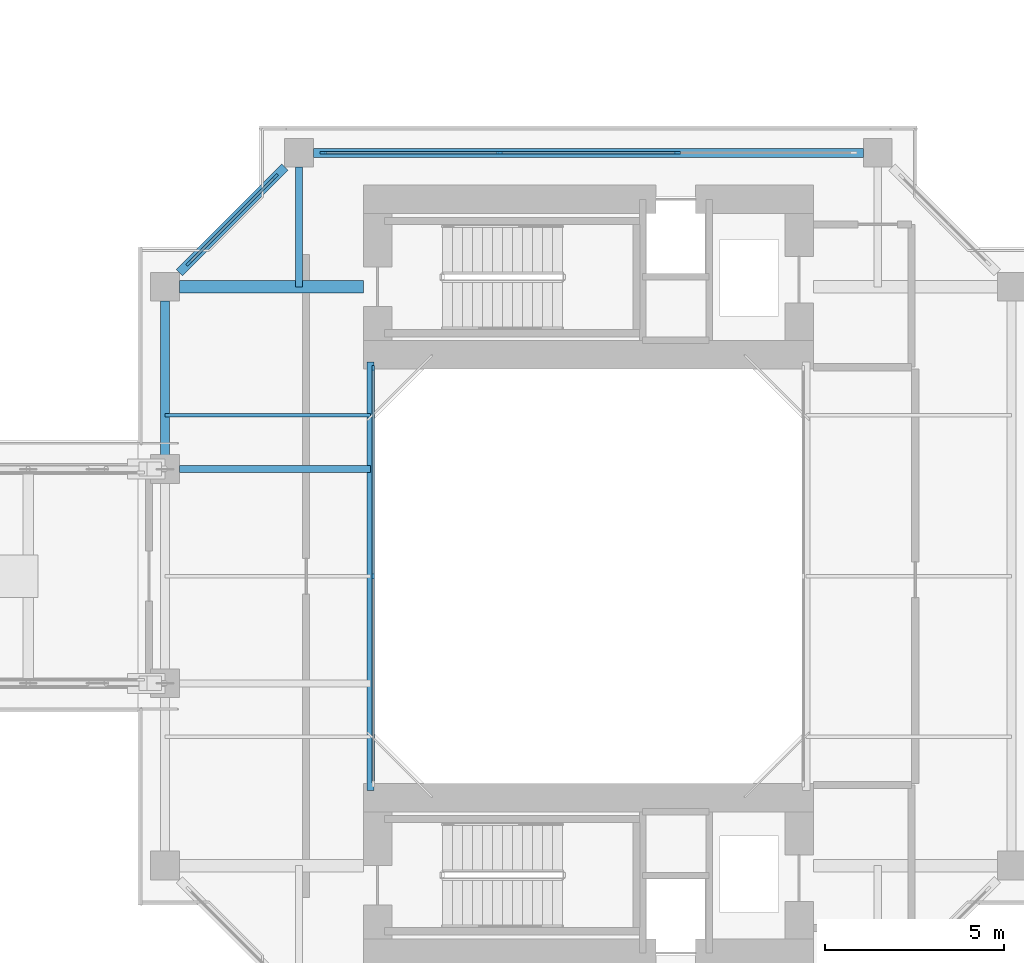
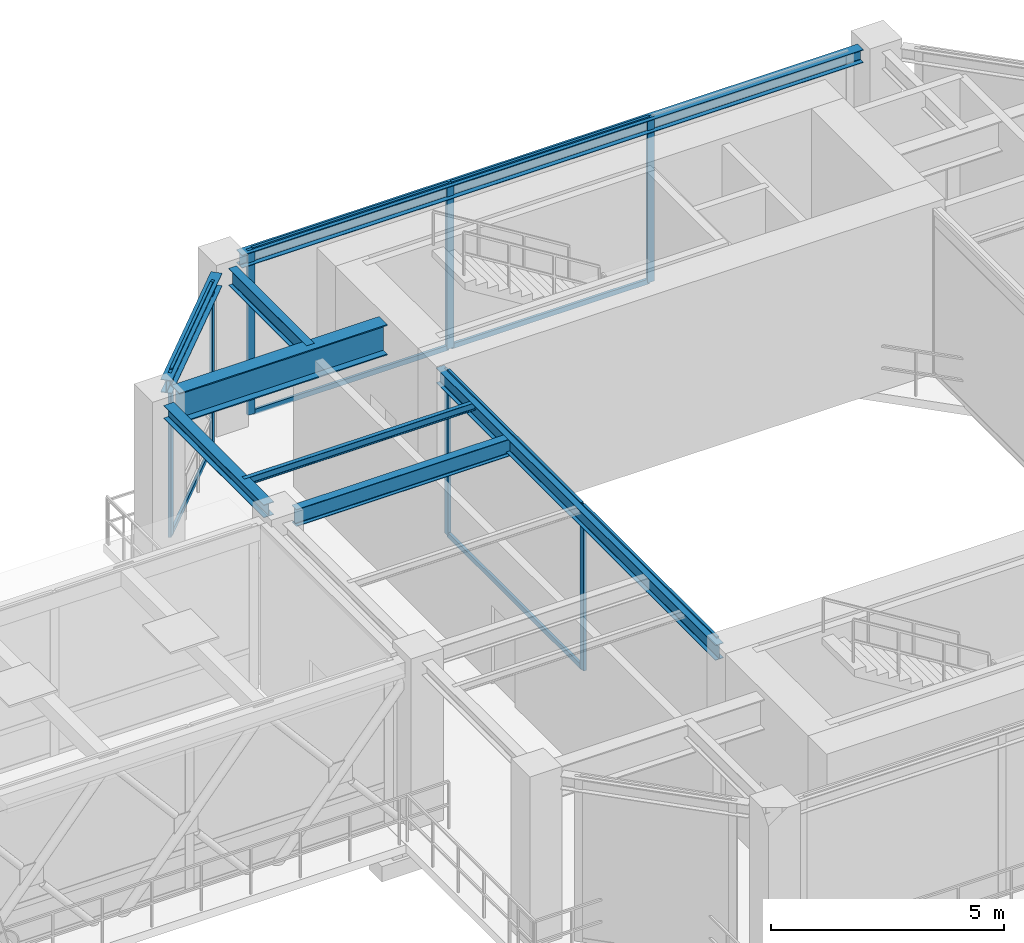
# One storey, part 8 of 25: 16 members, 8 beams, 3 elements without a shape of their own.
"""IFC4 building model written with IfcOpenShell, lengths in metres."""

from ifc_helpers import new_model, si_unit, direction, frame, origin, origin_2d, place, context, subcontext, project, spatial, rectangle, i_section, extrude, source, transform, mapped, material, layer, layer_set, material_profile, profile_set, type_object, element, aggregate, save


model = new_model("IFC4")

# Units and contexts
model_context = context("Model", 3, precision=1e-05, world=origin(), true_north=direction((0.0, 1.0)))
body_context = subcontext(model_context, "Body", "Model", "MODEL_VIEW")
ifc_project = project(units=[si_unit("LENGTHUNIT", "METRE"), si_unit("AREAUNIT", "SQUARE_METRE"), si_unit("VOLUMEUNIT", "CUBIC_METRE"), si_unit("PLANEANGLEUNIT", "RADIAN"), si_unit("MASSUNIT", "GRAM", prefix="KILO"), si_unit("THERMODYNAMICTEMPERATUREUNIT", "KELVIN"), si_unit("POWERUNIT", "WATT")], contexts=[model_context])

# Site, building, storey
site_placement = place(None, origin())
site = spatial("IfcSite", under=ifc_project, at=site_placement, CompositionType="ELEMENT")
building_placement = place(site_placement, origin())
building = spatial("IfcBuilding", under=site, at=building_placement, Name="Qiaomeng Ring Towers", CompositionType="ELEMENT")
storey_placement = place(building_placement, frame((0.0, 0.0, 92.5)))
storey = spatial("IfcBuildingStorey", under=building, at=storey_placement, Name="L26", CompositionType="ELEMENT", Elevation=92.5)

# Beams
ifc_material_1 = material(Name="Steel Q355B", Category="steel")
ifc_material_profile_1 = material_profile(ifc_material_1, i_section(OverallWidth=0.199951171875, OverallDepth=0.39990234375, WebThickness=0.008056640625, FlangeThickness=0.012939453125, FilletRadius=0.01611328125, at=origin_2d()), Name="HN 400x200x8x13")
ifc_profile_set_1 = profile_set([ifc_material_profile_1], Name="Steel Q355B")
beam_type_1 = type_object("IfcBeamType", Name="STR-BM-HN400", PredefinedType="SPANDREL", material=ifc_profile_set_1)
shared_shape_1 = source(origin(), body_context, "Body", "SweptSolid", [
    extrude(i_section(OverallWidth=0.199951171875, OverallDepth=0.39990234375, WebThickness=0.008056640625, FlangeThickness=0.012939453125, FilletRadius=0.01611328125, at=origin_2d()), origin(), (0.0, 0.0, 1.0), 12.0),
])
beam_1_placement = place(storey_placement, frame((54.39990234375, 17.0, 4.1201171875), z_axis=(0.0, 1.0, 0.0), x_axis=(-1.0, 0.0, 0.0)))
element("IfcBeam", 1, at=beam_1_placement, inside=storey, type_object=beam_type_1, Name="L26 beam STR-BM-L26-T2-WELL-W", PredefinedType="SPANDREL", context=body_context, shape_type="MappedRepresentation", body=[
    mapped(shared_shape_1, transform((0.0, 0.0, 0.0), x_axis=(1.0, 0.0, 0.0), y_axis=(0.0, 1.0, 0.0), z_axis=(0.0, 0.0, 1.0), scale=1.0)),
])
ifc_material_profile_2 = material_profile(ifc_material_1, i_section(OverallWidth=0.25, OverallDepth=0.340087890625, WebThickness=0.009033203125, FlangeThickness=0.013916015625, FilletRadius=0.02001953125, at=origin_2d()), Name="HM 340x250x9x14")
ifc_profile_set_2 = profile_set([ifc_material_profile_2], Name="Steel Q355B")
beam_type_2 = type_object("IfcBeamType", Name="STR-BM-HM340", PredefinedType="SPANDREL", material=ifc_profile_set_2)
shared_shape_2 = source(origin(), body_context, "Body", "SweptSolid", [
    extrude(i_section(OverallWidth=0.25, OverallDepth=0.340087890625, WebThickness=0.009033203125, FlangeThickness=0.013916015625, FilletRadius=0.02001953125, at=origin_2d()), origin(), (0.0, 0.0, 1.0), 15.40185546875),
])
beam_2_placement = place(storey_placement, frame((68.200927734375, 34.85009765625, 4.14990234375), z_axis=(-1.0, 0.0, 0.0), x_axis=(0.0, -1.0, 0.0)))
element("IfcBeam", 2, at=beam_2_placement, inside=storey, type_object=beam_type_2, Name="L26 beam STR-SP-L26-T2-N2-N1", PredefinedType="SPANDREL", context=body_context, shape_type="MappedRepresentation", body=[
    mapped(shared_shape_2, transform((0.0, 0.0, 0.0), x_axis=(1.0, 0.0, 0.0), y_axis=(0.0, 1.0, 0.0), z_axis=(0.0, 0.0, 1.0), scale=1.0)),
])
shared_shape_3 = source(origin(), body_context, "Body", "SweptSolid", [
    extrude(i_section(OverallWidth=0.25, OverallDepth=0.340087890625, WebThickness=0.009033203125, FlangeThickness=0.013916015625, FilletRadius=0.02001953125, at=origin_2d()), origin(), (0.0, 0.0, 1.0), 4.173828125),
])
beam_3_placement = place(storey_placement, frame((52.000732421875, 34.45068359375, 4.14990234375), z_axis=(-0.707106781187, -0.707106781187, 0.0), x_axis=(0.707106781187, -0.707106781187, 0.0)))
element("IfcBeam", 3, at=beam_3_placement, inside=storey, type_object=beam_type_2, Name="L26 beam STR-SP-L26-T2-N1-W4", PredefinedType="SPANDREL", context=body_context, shape_type="MappedRepresentation", body=[
    mapped(shared_shape_3, transform((0.0, 0.0, 0.0), x_axis=(1.0, 0.0, 0.0), y_axis=(0.0, 1.0, 0.0), z_axis=(0.0, 0.0, 1.0), scale=1.0)),
])
shared_shape_4 = source(origin(), body_context, "Body", "SweptSolid", [
    extrude(i_section(OverallWidth=0.25, OverallDepth=0.340087890625, WebThickness=0.009033203125, FlangeThickness=0.013916015625, FilletRadius=0.02001953125, at=origin_2d()), origin(), (0.0, 0.0, 1.0), 4.302001953125),
])
beam_4_placement = place(storey_placement, frame((48.64990234375, 30.700927734375, 4.14990234375), z_axis=(0.0, -1.0, 0.0), x_axis=(1.0, 0.0, 0.0)))
element("IfcBeam", 4, at=beam_4_placement, inside=storey, type_object=beam_type_2, Name="L26 beam STR-SP-L26-T2-W4-W3", PredefinedType="SPANDREL", context=body_context, shape_type="MappedRepresentation", body=[
    mapped(shared_shape_4, transform((0.0, 0.0, 0.0), x_axis=(1.0, 0.0, 0.0), y_axis=(0.0, 1.0, 0.0), z_axis=(0.0, 0.0, 1.0), scale=1.0)),
])
ifc_material_2 = material(Name="Steel Q390GJC", Category="steel")
ifc_material_profile_3 = material_profile(ifc_material_2, i_section(OverallWidth=0.35009765625, OverallDepth=0.800048828125, WebThickness=0.01611328125, FlangeThickness=0.028076171875, at=origin_2d()), Name="WH 800x350x16x28")
ifc_profile_set_3 = profile_set([ifc_material_profile_3], Name="Steel Q390GJC")
beam_type_3 = type_object("IfcBeamType", Name="STR-BM-WH800", PredefinedType="BEAM", material=ifc_profile_set_3)
shared_shape_5 = source(origin(), body_context, "Body", "SweptSolid", [
    extrude(i_section(OverallWidth=0.35009765625, OverallDepth=0.800048828125, WebThickness=0.01611328125, FlangeThickness=0.028076171875, at=origin_2d()), origin(), (0.0, 0.0, 1.0), 5.15087890625),
])
beam_5_placement = place(storey_placement, frame((49.049072265625, 31.10009765625, 3.919921875), z_axis=(1.0, 0.0, 0.0), x_axis=(0.0, 1.0, 0.0)))
element("IfcBeam", 5, at=beam_5_placement, inside=storey, type_object=beam_type_3, Name="L26 beam STR-BM-L26-T2-RAD-W4", PredefinedType="BEAM", context=body_context, shape_type="MappedRepresentation", body=[
    mapped(shared_shape_5, transform((0.0, 0.0, 0.0), x_axis=(1.0, 0.0, 0.0), y_axis=(0.0, 1.0, 0.0), z_axis=(0.0, 0.0, 1.0), scale=1.0)),
])
ifc_material_profile_4 = material_profile(ifc_material_1, i_section(OverallWidth=0.199951171875, OverallDepth=0.449951171875, WebThickness=0.009033203125, FlangeThickness=0.013916015625, FilletRadius=0.01806640625, at=origin_2d()), Name="HN 450x200x9x14")
ifc_profile_set_4 = profile_set([ifc_material_profile_4], Name="Steel Q355B")
beam_type_4 = type_object("IfcBeamType", Name="STR-BM-HN450", PredefinedType="SPANDREL", material=ifc_profile_set_4)
shared_shape_6 = source(origin(), body_context, "Body", "SweptSolid", [
    extrude(i_section(OverallWidth=0.199951171875, OverallDepth=0.449951171875, WebThickness=0.009033203125, FlangeThickness=0.013916015625, FilletRadius=0.01806640625, at=origin_2d()), origin(), (0.0, 0.0, 1.0), 5.350830078125),
])
beam_6_placement = place(storey_placement, frame((49.049072265625, 26.0, 4.094970703125), z_axis=(1.0, 0.0, 0.0), x_axis=(0.0, 1.0, 0.0)))
element("IfcBeam", 6, at=beam_6_placement, inside=storey, type_object=beam_type_4, Name="L26 beam STR-BM-L26-T2-RAD-W3", PredefinedType="SPANDREL", context=body_context, shape_type="MappedRepresentation", body=[
    mapped(shared_shape_6, transform((0.0, 0.0, 0.0), x_axis=(1.0, 0.0, 0.0), y_axis=(0.0, 1.0, 0.0), z_axis=(0.0, 0.0, 1.0), scale=1.0)),
])
shared_shape_7 = source(origin(), body_context, "Body", "SweptSolid", [
    extrude(i_section(OverallWidth=0.199951171875, OverallDepth=0.449951171875, WebThickness=0.009033203125, FlangeThickness=0.013916015625, FilletRadius=0.01806640625, at=origin_2d()), origin(), (0.0, 0.0, 1.0), 3.350830078125),
])
beam_7_placement = place(storey_placement, frame((52.39990234375, 34.450927734375, 4.094970703125), z_axis=(0.0, -1.0, 0.0), x_axis=(1.0, 0.0, 0.0)))
element("IfcBeam", 7, at=beam_7_placement, inside=storey, type_object=beam_type_4, Name="L26 beam STR-BM-L26-T2-RAD-N1", PredefinedType="SPANDREL", context=body_context, shape_type="MappedRepresentation", body=[
    mapped(shared_shape_7, transform((0.0, 0.0, 0.0), x_axis=(1.0, 0.0, 0.0), y_axis=(0.0, 1.0, 0.0), z_axis=(0.0, 0.0, 1.0), scale=1.0)),
])
ifc_material_profile_5 = material_profile(ifc_material_1, i_section(OverallWidth=0.10009765625, OverallDepth=0.199951171875, WebThickness=0.005615234375, FlangeThickness=0.008056640625, FilletRadius=0.010986328125, at=origin_2d()), Name="HN 200x100x5.5x8")
ifc_profile_set_5 = profile_set([ifc_material_profile_5], Name="Steel Q355B")
beam_type_5 = type_object("IfcBeamType", Name="STR-BM-HN200", PredefinedType="JOIST", material=ifc_profile_set_5)
shared_shape_8 = source(origin(), body_context, "Body", "SweptSolid", [
    extrude(i_section(OverallWidth=0.10009765625, OverallDepth=0.199951171875, WebThickness=0.005615234375, FlangeThickness=0.008056640625, FilletRadius=0.010986328125, at=origin_2d()), origin(), (0.0, 0.0, 1.0), 5.75),
])
beam_8_placement = place(storey_placement, frame((48.64990234375, 27.5, 4.219970703125), z_axis=(1.0, 0.0, 0.0), x_axis=(0.0, 1.0, 0.0)))
element("IfcBeam", 8, at=beam_8_placement, inside=storey, type_object=beam_type_5, Name="L26 beam STR-JST-L26-T2W-3", PredefinedType="JOIST", context=body_context, shape_type="MappedRepresentation", body=[
    mapped(shared_shape_8, transform((0.0, 0.0, 0.0), x_axis=(1.0, 0.0, 0.0), y_axis=(0.0, 1.0, 0.0), z_axis=(0.0, 0.0, 1.0), scale=1.0)),
])

# Curtain wall, members
ifc_material_3 = material(Name="Fluorocarbon dark-grey aluminium", Category="aluminium")
ifc_layer_1 = layer(ifc_material_3, 0.139892578125, Name="Fluorocarbon dark-grey aluminium")
ifc_layer_set_1 = layer_set([ifc_layer_1], Name="Fluorocarbon dark-grey aluminium")
curtain_wall_type_1 = type_object("IfcCurtainWallType", Name="ARC-CW-4", PredefinedType="NOTDEFINED", material=ifc_layer_set_1)
curtain_wall_1_placement = place(storey_placement, origin())
curtain_wall_1 = element("IfcCurtainWall", 9, at=curtain_wall_1_placement, inside=storey, type_object=curtain_wall_type_1, Name="L26 Curtain Wall CW4", PredefinedType="NOTDEFINED")
ifc_material_profile_6 = material_profile(ifc_material_3, rectangle(XDim=0.06494140625, YDim=0.1298828125, at=origin_2d()), Name="ALU TRAN 65x130")
ifc_profile_set_6 = profile_set([ifc_material_profile_6], Name="Fluorocarbon dark-grey aluminium")
member_type_1 = type_object("IfcMemberType", Name="ARC-CWT-120", PredefinedType="USERDEFINED", material=ifc_profile_set_6)
shared_shape_9 = source(origin(), body_context, "Body", "SweptSolid", [
    extrude(rectangle(XDim=0.06494140625, YDim=0.1298828125, at=origin_2d()), origin(), (0.0, 0.0, 1.0), 5.75244140625),
])
member_1_placement = place(storey_placement, frame((54.47998046875, 17.215087890625, 4.28759765625), z_axis=(0.0, 1.0, 0.0), x_axis=(-1.0, 0.0, 0.0)))
member_1 = element("IfcMember", 10, at=member_1_placement, type_object=member_type_1, Name="CW4 transom 1.2", ObjectType="TRANSOM", PredefinedType="USERDEFINED", context=body_context, shape_type="MappedRepresentation", body=[
    mapped(shared_shape_9, transform((0.0, 0.0, 0.0), x_axis=(1.0, 0.0, 0.0), y_axis=(0.0, 1.0, 0.0), z_axis=(0.0, 0.0, 1.0), scale=1.0)),
])
member_2_placement = place(storey_placement, frame((54.47998046875, 23.032470703125, 0.032470703125), z_axis=(0.0, 1.0, 0.0), x_axis=(-1.0, 0.0, 0.0)))
member_2 = element("IfcMember", 11, at=member_2_placement, type_object=member_type_1, Name="CW4 transom 2.1", ObjectType="TRANSOM", PredefinedType="USERDEFINED", context=body_context, shape_type="MappedRepresentation", body=[
    mapped(shared_shape_9, transform((0.0, 0.0, 0.0), x_axis=(1.0, 0.0, 0.0), y_axis=(0.0, 1.0, 0.0), z_axis=(0.0, 0.0, 1.0), scale=1.0)),
])
member_3_placement = place(storey_placement, frame((54.47998046875, 23.032470703125, 4.28759765625), z_axis=(0.0, 1.0, 0.0), x_axis=(-1.0, 0.0, 0.0)))
member_3 = element("IfcMember", 12, at=member_3_placement, type_object=member_type_1, Name="CW4 transom 2.2", ObjectType="TRANSOM", PredefinedType="USERDEFINED", context=body_context, shape_type="MappedRepresentation", body=[
    mapped(shared_shape_9, transform((0.0, 0.0, 0.0), x_axis=(1.0, 0.0, 0.0), y_axis=(0.0, 1.0, 0.0), z_axis=(0.0, 0.0, 1.0), scale=1.0)),
])
ifc_material_profile_7 = material_profile(ifc_material_3, rectangle(XDim=0.06494140625, YDim=0.159912109375, at=origin_2d()), Name="ALU MULL 65x160")
ifc_profile_set_7 = profile_set([ifc_material_profile_7], Name="Fluorocarbon dark-grey aluminium")
member_type_2 = type_object("IfcMemberType", Name="ARC-CWM-140", PredefinedType="MULLION", material=ifc_profile_set_7)
shared_shape_10 = source(origin(), body_context, "Body", "SweptSolid", [
    extrude(rectangle(XDim=0.06494140625, YDim=0.159912109375, at=origin_2d()), origin(), (0.0, 0.0, 1.0), 4.320068359375),
])
member_4_placement = place(storey_placement, frame((54.47998046875, 23.0, 0.0), z_axis=(0.0, 0.0, 1.0), x_axis=(-1.0, 0.0, 0.0)))
member_4 = element("IfcMember", 13, at=member_4_placement, type_object=member_type_2, Name="CW4 mullion 2", PredefinedType="MULLION", context=body_context, shape_type="MappedRepresentation", body=[
    mapped(shared_shape_10, transform((0.0, 0.0, 0.0), x_axis=(1.0, 0.0, 0.0), y_axis=(0.0, 1.0, 0.0), z_axis=(0.0, 0.0, 1.0), scale=1.0)),
])
member_5_placement = place(storey_placement, frame((54.47998046875, 28.8173828125, 0.0), z_axis=(0.0, 0.0, 1.0), x_axis=(-1.0, 0.0, 0.0)))
member_5 = element("IfcMember", 14, at=member_5_placement, type_object=member_type_2, Name="CW4 mullion 3", PredefinedType="MULLION", context=body_context, shape_type="MappedRepresentation", body=[
    mapped(shared_shape_10, transform((0.0, 0.0, 0.0), x_axis=(1.0, 0.0, 0.0), y_axis=(0.0, 1.0, 0.0), z_axis=(0.0, 0.0, 1.0), scale=1.0)),
])
aggregate(curtain_wall_1, [member_4, member_5, member_1, member_2, member_3])

ifc_layer_2 = layer(ifc_material_3, 0.14990234375, Name="Fluorocarbon dark-grey aluminium")
ifc_layer_set_2 = layer_set([ifc_layer_2], Name="Fluorocarbon dark-grey aluminium")
curtain_wall_type_2 = type_object("IfcCurtainWallType", Name="ARC-CW-5", PredefinedType="NOTDEFINED", material=ifc_layer_set_2)
curtain_wall_2_placement = place(storey_placement, origin())
curtain_wall_2 = element("IfcCurtainWall", 15, at=curtain_wall_2_placement, inside=storey, type_object=curtain_wall_type_2, Name="L26 Curtain Wall CW5", PredefinedType="NOTDEFINED")
ifc_material_profile_8 = material_profile(ifc_material_3, rectangle(XDim=0.070068359375, YDim=0.179931640625, at=origin_2d()), Name="ALU MULL 70x180")
ifc_profile_set_8 = profile_set([ifc_material_profile_8], Name="Fluorocarbon dark-grey aluminium")
member_type_3 = type_object("IfcMemberType", Name="ARC-CWM-160", PredefinedType="MULLION", material=ifc_profile_set_8)
shared_shape_11 = source(origin(), body_context, "Body", "SweptSolid", [
    extrude(rectangle(XDim=0.070068359375, YDim=0.179931640625, at=origin_2d()), origin(), (0.0, 0.0, 1.0), 4.320068359375),
])
member_6_placement = place(storey_placement, frame((53.074951171875, 34.85009765625, 0.0), z_axis=(0.0, 0.0, 1.0), x_axis=(0.0, 1.0, 0.0)))
member_6 = element("IfcMember", 16, at=member_6_placement, type_object=member_type_3, Name="CW5 mullion 1", PredefinedType="MULLION", context=body_context, shape_type="MappedRepresentation", body=[
    mapped(shared_shape_11, transform((0.0, 0.0, 0.0), x_axis=(1.0, 0.0, 0.0), y_axis=(0.0, 1.0, 0.0), z_axis=(0.0, 0.0, 1.0), scale=1.0)),
])
member_7_placement = place(storey_placement, frame((58.013427734375, 34.85009765625, 0.0), z_axis=(0.0, 0.0, 1.0), x_axis=(0.0, 1.0, 0.0)))
member_7 = element("IfcMember", 17, at=member_7_placement, type_object=member_type_3, Name="CW5 mullion 2", PredefinedType="MULLION", context=body_context, shape_type="MappedRepresentation", body=[
    mapped(shared_shape_11, transform((0.0, 0.0, 0.0), x_axis=(1.0, 0.0, 0.0), y_axis=(0.0, 1.0, 0.0), z_axis=(0.0, 0.0, 1.0), scale=1.0)),
])
member_8_placement = place(storey_placement, frame((62.986572265625, 34.85009765625, 0.0), z_axis=(0.0, 0.0, 1.0), x_axis=(0.0, 1.0, 0.0)))
member_8 = element("IfcMember", 18, at=member_8_placement, type_object=member_type_3, Name="CW5 mullion 3", PredefinedType="MULLION", context=body_context, shape_type="MappedRepresentation", body=[
    mapped(shared_shape_11, transform((0.0, 0.0, 0.0), x_axis=(1.0, 0.0, 0.0), y_axis=(0.0, 1.0, 0.0), z_axis=(0.0, 0.0, 1.0), scale=1.0)),
])

curtain_wall_3_placement = place(storey_placement, origin())
curtain_wall_3 = element("IfcCurtainWall", 19, at=curtain_wall_3_placement, inside=storey, type_object=curtain_wall_type_2, Name="L26 Curtain Wall CW5", PredefinedType="NOTDEFINED")
member_9_placement = place(storey_placement, frame((51.7353515625, 34.185302734375, 0.0), z_axis=(0.0, 0.0, 1.0), x_axis=(0.707106781187, -0.707106781187, 0.0)))
member_9 = element("IfcMember", 20, at=member_9_placement, type_object=member_type_3, Name="CW5 mullion 1", PredefinedType="MULLION", context=body_context, shape_type="MappedRepresentation", body=[
    mapped(shared_shape_11, transform((0.0, 0.0, 0.0), x_axis=(1.0, 0.0, 0.0), y_axis=(0.0, 1.0, 0.0), z_axis=(0.0, 0.0, 1.0), scale=1.0)),
])
member_10_placement = place(storey_placement, frame((49.314697265625, 31.7646484375, 0.0), z_axis=(0.0, 0.0, 1.0), x_axis=(0.707106781187, -0.707106781187, 0.0)))
member_10 = element("IfcMember", 21, at=member_10_placement, type_object=member_type_3, Name="CW5 mullion 2", PredefinedType="MULLION", context=body_context, shape_type="MappedRepresentation", body=[
    mapped(shared_shape_11, transform((0.0, 0.0, 0.0), x_axis=(1.0, 0.0, 0.0), y_axis=(0.0, 1.0, 0.0), z_axis=(0.0, 0.0, 1.0), scale=1.0)),
])

# Member
shared_shape_12 = source(origin(), body_context, "Body", "SweptSolid", [
    extrude(rectangle(XDim=0.06494140625, YDim=0.1298828125, at=origin_2d()), origin(), (0.0, 0.0, 1.0), 4.8681640625),
])
member_11_placement = place(storey_placement, frame((53.110107421875, 34.85009765625, 0.032470703125), z_axis=(1.0, 0.0, 0.0), x_axis=(0.0, 1.0, 0.0)))
member_11 = element("IfcMember", 22, at=member_11_placement, type_object=member_type_1, Name="CW5 transom 1.1", ObjectType="TRANSOM", PredefinedType="USERDEFINED", context=body_context, shape_type="MappedRepresentation", body=[
    mapped(shared_shape_12, transform((0.0, 0.0, 0.0), x_axis=(1.0, 0.0, 0.0), y_axis=(0.0, 1.0, 0.0), z_axis=(0.0, 0.0, 1.0), scale=1.0)),
])

member_12_placement = place(storey_placement, frame((53.110107421875, 34.85009765625, 4.28759765625), z_axis=(1.0, 0.0, 0.0), x_axis=(0.0, 1.0, 0.0)))
member_12 = element("IfcMember", 23, at=member_12_placement, type_object=member_type_1, Name="CW5 transom 1.2", ObjectType="TRANSOM", PredefinedType="USERDEFINED", context=body_context, shape_type="MappedRepresentation", body=[
    mapped(shared_shape_12, transform((0.0, 0.0, 0.0), x_axis=(1.0, 0.0, 0.0), y_axis=(0.0, 1.0, 0.0), z_axis=(0.0, 0.0, 1.0), scale=1.0)),
])

shared_shape_13 = source(origin(), body_context, "Body", "SweptSolid", [
    extrude(rectangle(XDim=0.06494140625, YDim=0.1298828125, at=origin_2d()), origin(), (0.0, 0.0, 1.0), 4.9033203125),
])
member_13_placement = place(storey_placement, frame((58.04833984375, 34.85009765625, 0.032470703125), z_axis=(1.0, 0.0, 0.0), x_axis=(0.0, 1.0, 0.0)))
member_13 = element("IfcMember", 24, at=member_13_placement, type_object=member_type_1, Name="CW5 transom 2.1", ObjectType="TRANSOM", PredefinedType="USERDEFINED", context=body_context, shape_type="MappedRepresentation", body=[
    mapped(shared_shape_13, transform((0.0, 0.0, 0.0), x_axis=(1.0, 0.0, 0.0), y_axis=(0.0, 1.0, 0.0), z_axis=(0.0, 0.0, 1.0), scale=1.0)),
])

member_14_placement = place(storey_placement, frame((58.04833984375, 34.85009765625, 4.28759765625), z_axis=(1.0, 0.0, 0.0), x_axis=(0.0, 1.0, 0.0)))
member_14 = element("IfcMember", 25, at=member_14_placement, type_object=member_type_1, Name="CW5 transom 2.2", ObjectType="TRANSOM", PredefinedType="USERDEFINED", context=body_context, shape_type="MappedRepresentation", body=[
    mapped(shared_shape_13, transform((0.0, 0.0, 0.0), x_axis=(1.0, 0.0, 0.0), y_axis=(0.0, 1.0, 0.0), z_axis=(0.0, 0.0, 1.0), scale=1.0)),
])

aggregate(curtain_wall_2, [member_6, member_7, member_8, member_11, member_12, member_13, member_14])

shared_shape_14 = source(origin(), body_context, "Body", "SweptSolid", [
    extrude(rectangle(XDim=0.06494140625, YDim=0.1298828125, at=origin_2d()), origin(), (0.0, 0.0, 1.0), 3.352783203125),
])
member_15_placement = place(storey_placement, frame((51.71044921875, 34.160400390625, 0.032470703125), z_axis=(-0.707106781187, -0.707106781187, 0.0), x_axis=(0.707106781187, -0.707106781187, 0.0)))
member_15 = element("IfcMember", 26, at=member_15_placement, type_object=member_type_1, Name="CW5 transom 1.1", ObjectType="TRANSOM", PredefinedType="USERDEFINED", context=body_context, shape_type="MappedRepresentation", body=[
    mapped(shared_shape_14, transform((0.0, 0.0, 0.0), x_axis=(1.0, 0.0, 0.0), y_axis=(0.0, 1.0, 0.0), z_axis=(0.0, 0.0, 1.0), scale=1.0)),
])

member_16_placement = place(storey_placement, frame((51.71044921875, 34.160400390625, 4.28759765625), z_axis=(-0.707106781187, -0.707106781187, 0.0), x_axis=(0.707106781187, -0.707106781187, 0.0)))
member_16 = element("IfcMember", 27, at=member_16_placement, type_object=member_type_1, Name="CW5 transom 1.2", ObjectType="TRANSOM", PredefinedType="USERDEFINED", context=body_context, shape_type="MappedRepresentation", body=[
    mapped(shared_shape_14, transform((0.0, 0.0, 0.0), x_axis=(1.0, 0.0, 0.0), y_axis=(0.0, 1.0, 0.0), z_axis=(0.0, 0.0, 1.0), scale=1.0)),
])

aggregate(curtain_wall_3, [member_9, member_10, member_15, member_16])

save(model, "model.ifc")
